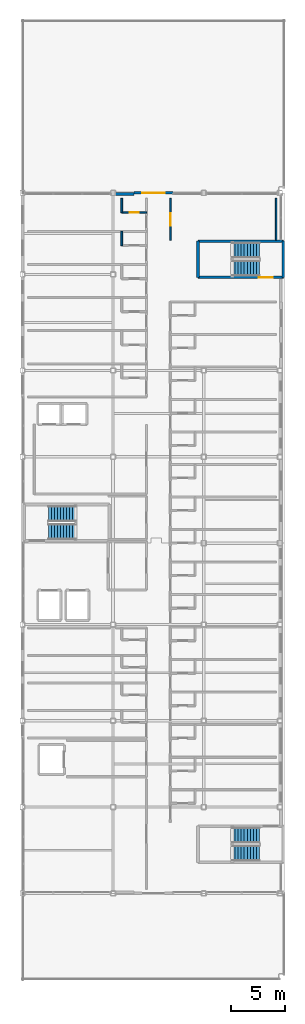
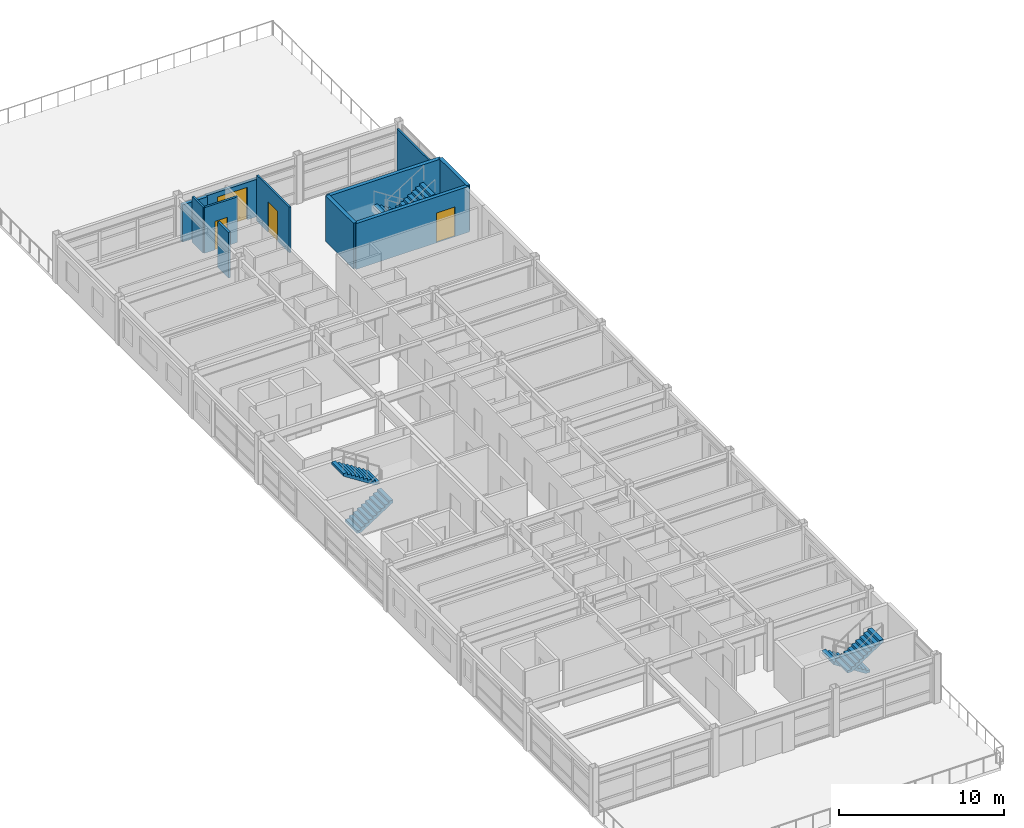
# One storey, part 25 of 28: 11 walls, 6 stair flights, 4 doors, 4 openings, 3 elements without a shape of their own.
"""IFC4 building model written with IfcOpenShell, lengths in metres."""

from ifc_helpers import new_model, si_unit, direction, frame, frame_2d, origin, place, context, subcontext, project, spatial, polyline, rectangle, outline, extrude, material, layer, layer_set, type_object, element, fill, aggregate, save


model = new_model("IFC4")

# Units and contexts
model_context = context("Model", 3, precision=1e-05, world=origin(), true_north=direction((0.0, 1.0)))
body_context = subcontext(model_context, "Body", "Model", "MODEL_VIEW")
ifc_project = project(units=[si_unit("LENGTHUNIT", "METRE"), si_unit("AREAUNIT", "SQUARE_METRE"), si_unit("VOLUMEUNIT", "CUBIC_METRE"), si_unit("PLANEANGLEUNIT", "RADIAN"), si_unit("MASSUNIT", "GRAM", prefix="KILO")], contexts=[model_context])

# Site, building, storey
site_placement = place(None, origin())
site = spatial("IfcSite", under=ifc_project, at=site_placement, CompositionType="ELEMENT")
building_placement = place(site_placement, origin())
building = spatial("IfcBuilding", under=site, at=building_placement, Name="Kazehara Bluff Congress Hotel", CompositionType="ELEMENT")
storey_placement = place(building_placement, frame((0.0, 0.0, 42.60009765625)))
storey = spatial("IfcBuildingStorey", under=building, at=storey_placement, Name="L10", CompositionType="ELEMENT", Elevation=42.60009765625)

# Walls
ifc_material_1 = material(Name="Concrete C40/50", Category="concrete")
ifc_layer_1 = layer(ifc_material_1, 0.25)
ifc_layer_set_1 = layer_set([ifc_layer_1], Name="Concrete C40/50")
wall_type_1 = type_object("IfcWallType", Name="TP-CW-RC", PredefinedType="SHEAR", material=ifc_layer_set_1)
for number, where, z_axis, x_axis, name in (
    (1, (167.875, 76.425048828125, 0.0), (0.0, 0.0, 1.0), (0.0, -1.0, 0.0), "L10 ST-12 core wall near"),
    (2, (159.97509765625, 73.074951171875, 0.0), (0.0, 0.0, 1.0), (0.0, 1.0, 0.0), "L10 ST-12 core wall far"),
):
    element("IfcWall", number, at=place(storey_placement, frame(where, z_axis=z_axis, x_axis=x_axis)), inside=storey, type_object=wall_type_1, Name=name, PredefinedType="SHEAR", context=body_context, shape_type="SweptSolid", body=[
        extrude(rectangle(XDim=3.35009765625, YDim=0.25, at=frame_2d((1.675048828125, 0.0))), origin(), (0.0, 0.0, 1.0), 3.3798828125),
    ])
wall_1_placement = place(storey_placement, frame((159.97509765625, 76.425048828125, 0.0), z_axis=(0.0, 0.0, 1.0), x_axis=(1.0, 0.0, 0.0)))
element("IfcWall", 3, at=wall_1_placement, inside=storey, type_object=wall_type_1, Name="L10 ST-12 core wall left", PredefinedType="SHEAR", context=body_context, shape_type="SweptSolid", body=[
    extrude(rectangle(XDim=7.89990234375, YDim=0.25, at=frame_2d((3.949951171875, 0.0))), origin(), (0.0, 0.0, 1.0), 3.3798828125),
])

# Wall, opening, door
wall_2_placement = place(storey_placement, frame((167.875, 73.074951171875, 0.0), z_axis=(0.0, 0.0, 1.0), x_axis=(-1.0, 0.0, 0.0)))
wall_2 = element("IfcWall", 4, at=wall_2_placement, inside=storey, type_object=wall_type_1, Name="L10 ST-12 core wall right", PredefinedType="SHEAR", context=body_context, shape_type="SweptSolid", body=[
    extrude(rectangle(XDim=7.89990234375, YDim=0.25, at=frame_2d((3.949951171875, 0.0))), origin(), (0.0, 0.0, 1.0), 3.3798828125),
])
opening_1_placement = place(wall_2_placement, frame((0.985107421875, 0.0, 0.0)))
opening_1 = element("IfcOpeningElement", 5, at=opening_1_placement, cuts=wall_2, Name="Opening FD-01", PredefinedType="OPENING", context=body_context, shape_type="SweptSolid", body=[
    extrude(rectangle(XDim=1.300048828125, YDim=2.199951171875, at=frame_2d((0.64990234375, 1.10009765625))), frame((0.0, 0.135009765625, 0.0), z_axis=(0.0, -1.0, 0.0), x_axis=(1.0, 0.0, 0.0)), (0.0, 0.0, 1.0), 0.27001953125),
])
ifc_material_2 = material(Name="Fire-rated painted steel leaf", Category="steel")
door_type_1 = type_object("IfcDoorType", Name="TP-FD-01", OperationType="NOTDEFINED", PredefinedType="DOOR", material=ifc_material_2)
door_1_placement = place(opening_1_placement, origin())
door_1 = element("IfcDoor", 6, at=door_1_placement, inside=storey, type_object=door_type_1, Name="L10 ST-12 fire stair door", OperationType="SINGLE_SWING_RIGHT", OverallHeight=2.199951171875, OverallWidth=1.300048828125, PredefinedType="DOOR", context=body_context, shape_type="SweptSolid", body=[
    extrude(rectangle(XDim=1.300048828125, YDim=2.199951171875, at=frame_2d((0.64990234375, 1.10009765625))), frame((0.0, 0.02490234375, 0.0), z_axis=(0.0, -1.0, 0.0), x_axis=(1.0, 0.0, 0.0)), (0.0, 0.0, 1.0), 0.050048828125),
])
fill(opening_1, door_1)

ifc_material_3 = material(Name="Precast concrete C40/50", Category="concrete")
ifc_layer_2 = layer(ifc_material_3, 0.239990234375)
ifc_layer_set_2 = layer_set([ifc_layer_2], Name="Precast concrete C40/50")
wall_type_2 = type_object("IfcWallType", Name="TP-EW-240", PredefinedType="SOLIDWALL", material=ifc_layer_set_2)
wall_3_placement = place(storey_placement, frame((154.050048828125, 80.89990234375, 0.0), z_axis=(0.0, 0.0, 1.0), x_axis=(1.0, 0.0, 0.0)))
wall_3 = element("IfcWall", 7, at=wall_3_placement, inside=storey, type_object=wall_type_2, Name="Executive North Sky Terrace access wall", PredefinedType="SOLIDWALL", context=body_context, shape_type="SweptSolid", body=[
    extrude(rectangle(XDim=3.599853515625, YDim=0.239990234375, at=frame_2d((1.7998046875, 0.0))), origin(), (0.0, 0.0, 1.0), 2.7548828125),
])
opening_2_placement = place(wall_3_placement, frame((0.75, 0.0, 0.0)))
opening_2 = element("IfcOpeningElement", 8, at=opening_2_placement, cuts=wall_3, Name="Opening TD-03", PredefinedType="OPENING", context=body_context, shape_type="SweptSolid", body=[
    extrude(rectangle(XDim=2.10009765625, YDim=2.39990234375, at=frame_2d((1.050048828125, 1.199951171875))), frame((0.0, 0.1298828125, 0.0), z_axis=(0.0, -1.0, 0.0), x_axis=(1.0, 0.0, 0.0)), (0.0, 0.0, 1.0), 0.260009765625),
])
ifc_material_4 = material(Name="Anodised aluminium", Category="aluminium")
door_type_2 = type_object("IfcDoorType", Name="TP-TD-03", OperationType="SLIDING_TO_LEFT", PredefinedType="DOOR", material=ifc_material_4)
door_2_placement = place(opening_2_placement, origin())
door_2 = element("IfcDoor", 9, at=door_2_placement, inside=storey, type_object=door_type_2, Name="Executive North Sky Terrace terrace door", OperationType="SLIDING_TO_LEFT", OverallHeight=2.39990234375, OverallWidth=2.10009765625, PredefinedType="DOOR", context=body_context, shape_type="SweptSolid", body=[
    extrude(rectangle(XDim=2.10009765625, YDim=2.39990234375, at=frame_2d((1.050048828125, 1.199951171875))), frame((0.0, 0.02490234375, 0.0), z_axis=(0.0, -1.0, 0.0), x_axis=(1.0, 0.0, 0.0)), (0.0, 0.0, 1.0), 0.050048828125),
])
fill(opening_2, door_2)

# Wall
wall_4_placement = place(storey_placement, frame((152.324951171875, 80.800048828125, 0.0), z_axis=(0.0, 0.0, 1.0), x_axis=(1.0, 0.0, 0.0)))
element("IfcWall", 10, at=wall_4_placement, inside=storey, type_object=wall_type_2, Name="L10 V5 perimeter spandrel pier 758", PredefinedType="SOLIDWALL", context=body_context, shape_type="SweptSolid", body=[
    extrude(rectangle(XDim=1.72509765625, YDim=0.239990234375, at=frame_2d((0.862548828125, 0.0))), origin(), (0.0, 0.0, 1.0), 2.7548828125),
])

# Wall, opening, door
ifc_material_5 = material(Name="Fire-rated gypsum board stud partition")
ifc_layer_3 = layer(ifc_material_5, 0.1298828125)
ifc_layer_set_3 = layer_set([ifc_layer_3], Name="Fire-rated gypsum board stud partition")
wall_type_3 = type_object("IfcWallType", Name="TP-PT-130", PredefinedType="PARTITIONING", material=ifc_layer_set_3)
wall_5_placement = place(storey_placement, frame((157.39990234375, 76.5, 0.0), z_axis=(0.0, 0.0, 1.0), x_axis=(0.0, 1.0, 0.0)))
wall_5 = element("IfcWall", 11, at=wall_5_placement, inside=storey, type_object=wall_type_3, Name="L10 partition PT-130 1398", PredefinedType="PARTITIONING", context=body_context, shape_type="SweptSolid", body=[
    extrude(rectangle(XDim=3.89990234375, YDim=0.1298828125, at=frame_2d((1.949951171875, 0.0))), origin(), (0.0, 0.0, 1.0), 3.364990234375),
])
opening_3_placement = place(wall_5_placement, frame((1.375, 0.0, 0.0)))
opening_3 = element("IfcOpeningElement", 12, at=opening_3_placement, cuts=wall_5, Name="Opening ID-04", PredefinedType="OPENING", context=body_context, shape_type="SweptSolid", body=[
    extrude(rectangle(XDim=1.14990234375, YDim=2.219970703125, at=frame_2d((0.574951171875, 1.10986328125))), frame((0.0, 0.074951171875, 0.0), z_axis=(0.0, -1.0, 0.0), x_axis=(1.0, 0.0, 0.0)), (0.0, 0.0, 1.0), 0.14990234375),
])
ifc_material_6 = material(Name="Architectural oak veneer leaf")
door_type_3 = type_object("IfcDoorType", Name="TP-ID-04", OperationType="NOTDEFINED", PredefinedType="DOOR", material=ifc_material_6)
door_3_placement = place(opening_3_placement, origin())
door_3 = element("IfcDoor", 13, at=door_3_placement, inside=storey, type_object=door_type_3, Name="L10 Executive North Terrace Lounge door", OperationType="SINGLE_SWING_RIGHT", OverallHeight=2.219970703125, OverallWidth=1.14990234375, PredefinedType="DOOR", context=body_context, shape_type="SweptSolid", body=[
    extrude(rectangle(XDim=1.14990234375, YDim=2.219970703125, at=frame_2d((0.574951171875, 1.10986328125))), frame((0.0, 0.02490234375, 0.0), z_axis=(0.0, -1.0, 0.0), x_axis=(1.0, 0.0, 0.0)), (0.0, 0.0, 1.0), 0.050048828125),
])
fill(opening_3, door_3)

# Wall
wall_6_placement = place(storey_placement, frame((167.199951171875, 76.5, 0.0), z_axis=(0.0, 0.0, 1.0), x_axis=(0.0, 1.0, 0.0)))
element("IfcWall", 14, at=wall_6_placement, inside=storey, type_object=wall_type_3, Name="L10 partition PT-130 1415", PredefinedType="PARTITIONING", context=body_context, shape_type="SweptSolid", body=[
    extrude(rectangle(XDim=3.89990234375, YDim=0.1298828125, at=frame_2d((1.949951171875, 0.0))), origin(), (0.0, 0.0, 1.0), 3.364990234375),
])

# Wall, opening, door
ifc_material_7 = material(Name="Fire-rated gypsum board stud partition")
ifc_layer_4 = layer(ifc_material_7, 0.14990234375)
ifc_layer_set_4 = layer_set([ifc_layer_4], Name="Fire-rated gypsum board stud partition")
wall_type_4 = type_object("IfcWallType", Name="TP-PT-150", PredefinedType="PARTITIONING", material=ifc_layer_set_4)
wall_7_placement = place(storey_placement, frame((152.89990234375, 79.080078125, 0.0), z_axis=(0.0, 0.0, 1.0), x_axis=(1.0, 0.0, 0.0)))
wall_7 = element("IfcWall", 15, at=wall_7_placement, inside=storey, type_object=wall_type_4, Name="L10 partition PT-150 1377", PredefinedType="PARTITIONING", context=body_context, shape_type="SweptSolid", body=[
    extrude(rectangle(XDim=2.300048828125, YDim=0.14990234375, at=frame_2d((1.14990234375, 0.0))), origin(), (0.0, 0.0, 1.0), 3.364990234375),
])
opening_4_placement = place(wall_7_placement, frame((0.72509765625, 0.0, 0.0)))
opening_4 = element("IfcOpeningElement", 16, at=opening_4_placement, cuts=wall_7, Name="Opening BD-01", PredefinedType="OPENING", context=body_context, shape_type="SweptSolid", body=[
    extrude(rectangle(XDim=0.85009765625, YDim=2.10009765625, at=frame_2d((0.425048828125, 1.050048828125))), frame((0.0, 0.0849609375, 0.0), z_axis=(0.0, -1.0, 0.0), x_axis=(1.0, 0.0, 0.0)), (0.0, 0.0, 1.0), 0.169921875),
])
ifc_material_8 = material(Name="Architectural oak veneer leaf")
door_type_4 = type_object("IfcDoorType", Name="TP-BD-01", OperationType="NOTDEFINED", PredefinedType="DOOR", material=ifc_material_8)
door_4_placement = place(opening_4_placement, origin())
door_4 = element("IfcDoor", 17, at=door_4_placement, inside=storey, type_object=door_type_4, Name="L10 En-suite Bathroom 304 door", OperationType="SINGLE_SWING_RIGHT", OverallHeight=2.10009765625, OverallWidth=0.85009765625, PredefinedType="DOOR", context=body_context, shape_type="SweptSolid", body=[
    extrude(rectangle(XDim=0.85009765625, YDim=2.10009765625, at=frame_2d((0.425048828125, 1.050048828125))), frame((0.0, 0.02490234375, 0.0), z_axis=(0.0, -1.0, 0.0), x_axis=(1.0, 0.0, 0.0)), (0.0, 0.0, 1.0), 0.050048828125),
])
fill(opening_4, door_4)

# Walls
wall_8_placement = place(storey_placement, frame((152.89990234375, 76.014892578125, 0.0), z_axis=(0.0, 0.0, 1.0), x_axis=(0.0, 1.0, 0.0)))
element("IfcWall", 18, at=wall_8_placement, inside=storey, type_object=wall_type_4, Name="L10 partition PT-150 1388", PredefinedType="PARTITIONING", context=body_context, shape_type="SweptSolid", body=[
    extrude(rectangle(XDim=1.320068359375, YDim=0.14990234375, at=frame_2d((0.66015625, 0.0))), origin(), (0.0, 0.0, 1.0), 3.364990234375),
])
wall_9_placement = place(storey_placement, frame((152.89990234375, 79.0849609375, 0.0), z_axis=(0.0, 0.0, 1.0), x_axis=(0.0, 1.0, 0.0)))
element("IfcWall", 19, at=wall_9_placement, inside=storey, type_object=wall_type_4, Name="L10 partition PT-150 1389", PredefinedType="PARTITIONING", context=body_context, shape_type="SweptSolid", body=[
    extrude(rectangle(XDim=1.31494140625, YDim=0.14990234375, at=frame_2d((0.657470703125, 0.0))), origin(), (0.0, 0.0, 1.0), 3.364990234375),
])

# Stair, stair flights
ifc_material_9 = material(Name="Concrete C36/45", Category="concrete")
stair_type = type_object("IfcStairType", Name="TP-ST-T03", PredefinedType="HALF_TURN_STAIR", material=ifc_material_9)
stair_1_placement = place(storey_placement, origin())
stair_1 = element("IfcStair", 20, at=stair_1_placement, inside=storey, type_object=stair_type, Name="L10 Escape stair ST-10", PredefinedType="HALF_TURN_STAIR")
ifc_material_10 = material(Name="Concrete C36/45", Category="concrete")
stair_flight_type = type_object("IfcStairFlightType", Name="TP-SF-T03", PredefinedType="STRAIGHT", material=ifc_material_10)
stair_flight_1_placement = place(storey_placement, frame((165.64990234375, 21.375, 0.0), z_axis=(0.0, 0.0, 1.0), x_axis=(-1.0, 0.0, 0.0)))
stair_flight_1 = element("IfcStairFlight", 21, at=stair_flight_1_placement, type_object=stair_flight_type, Name="ST-10 flight 1", NumberOfRisers=10, NumberOfTreads=9, PredefinedType="STRAIGHT", RiserHeight=0.18, TreadLength=0.28, context=body_context, shape_type="SweptSolid", body=[
    extrude(outline(polyline([(0.0, 0.0), (0.0, 0.179931640625), (0.280029296875, 0.179931640625), (0.280029296875, 0.360107421875), (0.56005859375, 0.360107421875), (0.56005859375, 0.5400390625), (0.840087890625, 0.5400390625), (0.840087890625, 0.719970703125), (1.1201171875, 0.719970703125), (1.1201171875, 0.89990234375), (1.39990234375, 0.89990234375), (1.39990234375, 1.080078125), (1.679931640625, 1.080078125), (1.679931640625, 1.260009765625), (1.9599609375, 1.260009765625), (1.9599609375, 1.43994140625), (2.239990234375, 1.43994140625), (2.239990234375, 1.6201171875), (2.52001953125, 1.6201171875), (2.52001953125, 1.800048828125), (2.52001953125, 1.429931640625), (0.295654296875, 0.0), (0.0, 0.0)])), frame((0.0, 0.72509765625, 0.0), z_axis=(0.0, -1.0, 0.0), x_axis=(1.0, 0.0, 0.0)), (0.0, 0.0, 1.0), 1.449951171875),
])
stair_flight_2_placement = place(storey_placement, frame((163.1298828125, 19.72509765625, 1.7998046875), z_axis=(0.0, 0.0, 1.0), x_axis=(1.0, 0.0, 0.0)))
stair_flight_2 = element("IfcStairFlight", 22, at=stair_flight_2_placement, type_object=stair_flight_type, Name="ST-10 flight 2", NumberOfRisers=10, NumberOfTreads=9, PredefinedType="STRAIGHT", RiserHeight=0.18, TreadLength=0.28, context=body_context, shape_type="SweptSolid", body=[
    extrude(outline(polyline([(0.0, 0.0), (0.0, 0.179931640625), (0.280029296875, 0.179931640625), (0.280029296875, 0.360107421875), (0.56005859375, 0.360107421875), (0.56005859375, 0.5400390625), (0.840087890625, 0.5400390625), (0.840087890625, 0.719970703125), (1.1201171875, 0.719970703125), (1.1201171875, 0.89990234375), (1.39990234375, 0.89990234375), (1.39990234375, 1.080078125), (1.679931640625, 1.080078125), (1.679931640625, 1.260009765625), (1.9599609375, 1.260009765625), (1.9599609375, 1.43994140625), (2.239990234375, 1.43994140625), (2.239990234375, 1.6201171875), (2.52001953125, 1.6201171875), (2.52001953125, 1.800048828125), (2.52001953125, 1.429931640625), (0.295654296875, 0.0), (0.0, 0.0)])), frame((0.0, 0.72509765625, 0.0), z_axis=(0.0, -1.0, 0.0), x_axis=(1.0, 0.0, 0.0)), (0.0, 0.0, 1.0), 1.449951171875),
])
aggregate(stair_1, [stair_flight_1, stair_flight_2])

stair_2_placement = place(storey_placement, origin())
stair_2 = element("IfcStair", 23, at=stair_2_placement, inside=storey, type_object=stair_type, Name="L10 Escape stair ST-11", PredefinedType="HALF_TURN_STAIR")
stair_flight_3_placement = place(storey_placement, frame((146.10009765625, 49.52490234375, 0.0), z_axis=(0.0, 0.0, 1.0), x_axis=(1.0, 0.0, 0.0)))
stair_flight_3 = element("IfcStairFlight", 24, at=stair_flight_3_placement, type_object=stair_flight_type, Name="ST-11 flight 1", NumberOfRisers=10, NumberOfTreads=9, PredefinedType="STRAIGHT", RiserHeight=0.18, TreadLength=0.28, context=body_context, shape_type="SweptSolid", body=[
    extrude(outline(polyline([(0.0, 0.0), (0.0, 0.179931640625), (0.280029296875, 0.179931640625), (0.280029296875, 0.360107421875), (0.56005859375, 0.360107421875), (0.56005859375, 0.5400390625), (0.840087890625, 0.5400390625), (0.840087890625, 0.719970703125), (1.1201171875, 0.719970703125), (1.1201171875, 0.89990234375), (1.39990234375, 0.89990234375), (1.39990234375, 1.080078125), (1.679931640625, 1.080078125), (1.679931640625, 1.260009765625), (1.9599609375, 1.260009765625), (1.9599609375, 1.43994140625), (2.239990234375, 1.43994140625), (2.239990234375, 1.6201171875), (2.52001953125, 1.6201171875), (2.52001953125, 1.800048828125), (2.52001953125, 1.429931640625), (0.295654296875, 0.0), (0.0, 0.0)])), frame((0.0, 0.72509765625, 0.0), z_axis=(0.0, -1.0, 0.0), x_axis=(1.0, 0.0, 0.0)), (0.0, 0.0, 1.0), 1.449951171875),
])
stair_flight_4_placement = place(storey_placement, frame((148.6201171875, 51.175048828125, 1.7998046875), z_axis=(0.0, 0.0, 1.0), x_axis=(-1.0, 0.0, 0.0)))
stair_flight_4 = element("IfcStairFlight", 25, at=stair_flight_4_placement, type_object=stair_flight_type, Name="ST-11 flight 2", NumberOfRisers=10, NumberOfTreads=9, PredefinedType="STRAIGHT", RiserHeight=0.18, TreadLength=0.28, context=body_context, shape_type="SweptSolid", body=[
    extrude(outline(polyline([(0.0, 0.0), (0.0, 0.179931640625), (0.280029296875, 0.179931640625), (0.280029296875, 0.360107421875), (0.56005859375, 0.360107421875), (0.56005859375, 0.5400390625), (0.840087890625, 0.5400390625), (0.840087890625, 0.719970703125), (1.1201171875, 0.719970703125), (1.1201171875, 0.89990234375), (1.39990234375, 0.89990234375), (1.39990234375, 1.080078125), (1.679931640625, 1.080078125), (1.679931640625, 1.260009765625), (1.9599609375, 1.260009765625), (1.9599609375, 1.43994140625), (2.239990234375, 1.43994140625), (2.239990234375, 1.6201171875), (2.52001953125, 1.6201171875), (2.52001953125, 1.800048828125), (2.52001953125, 1.429931640625), (0.295654296875, 0.0), (0.0, 0.0)])), frame((0.0, 0.72509765625, 0.0), z_axis=(0.0, -1.0, 0.0), x_axis=(1.0, 0.0, 0.0)), (0.0, 0.0, 1.0), 1.449951171875),
])
aggregate(stair_2, [stair_flight_3, stair_flight_4])

stair_3_placement = place(storey_placement, origin())
stair_3 = element("IfcStair", 26, at=stair_3_placement, inside=storey, type_object=stair_type, Name="L10 Escape stair ST-12", PredefinedType="HALF_TURN_STAIR")
stair_flight_5_placement = place(storey_placement, frame((165.64990234375, 75.574951171875, 0.0), z_axis=(0.0, 0.0, 1.0), x_axis=(-1.0, 0.0, 0.0)))
stair_flight_5 = element("IfcStairFlight", 27, at=stair_flight_5_placement, type_object=stair_flight_type, Name="ST-12 flight 1", NumberOfRisers=10, NumberOfTreads=9, PredefinedType="STRAIGHT", RiserHeight=0.18, TreadLength=0.28, context=body_context, shape_type="SweptSolid", body=[
    extrude(outline(polyline([(0.0, 0.0), (0.0, 0.179931640625), (0.280029296875, 0.179931640625), (0.280029296875, 0.360107421875), (0.56005859375, 0.360107421875), (0.56005859375, 0.5400390625), (0.840087890625, 0.5400390625), (0.840087890625, 0.719970703125), (1.1201171875, 0.719970703125), (1.1201171875, 0.89990234375), (1.39990234375, 0.89990234375), (1.39990234375, 1.080078125), (1.679931640625, 1.080078125), (1.679931640625, 1.260009765625), (1.9599609375, 1.260009765625), (1.9599609375, 1.43994140625), (2.239990234375, 1.43994140625), (2.239990234375, 1.6201171875), (2.52001953125, 1.6201171875), (2.52001953125, 1.800048828125), (2.52001953125, 1.429931640625), (0.295654296875, 0.0), (0.0, 0.0)])), frame((0.0, 0.72509765625, 0.0), z_axis=(0.0, -1.0, 0.0), x_axis=(1.0, 0.0, 0.0)), (0.0, 0.0, 1.0), 1.449951171875),
])
stair_flight_6_placement = place(storey_placement, frame((163.1298828125, 73.925048828125, 1.7998046875), z_axis=(0.0, 0.0, 1.0), x_axis=(1.0, 0.0, 0.0)))
stair_flight_6 = element("IfcStairFlight", 28, at=stair_flight_6_placement, type_object=stair_flight_type, Name="ST-12 flight 2", NumberOfRisers=10, NumberOfTreads=9, PredefinedType="STRAIGHT", RiserHeight=0.18, TreadLength=0.28, context=body_context, shape_type="SweptSolid", body=[
    extrude(outline(polyline([(0.0, 0.0), (0.0, 0.179931640625), (0.280029296875, 0.179931640625), (0.280029296875, 0.360107421875), (0.56005859375, 0.360107421875), (0.56005859375, 0.5400390625), (0.840087890625, 0.5400390625), (0.840087890625, 0.719970703125), (1.1201171875, 0.719970703125), (1.1201171875, 0.89990234375), (1.39990234375, 0.89990234375), (1.39990234375, 1.080078125), (1.679931640625, 1.080078125), (1.679931640625, 1.260009765625), (1.9599609375, 1.260009765625), (1.9599609375, 1.43994140625), (2.239990234375, 1.43994140625), (2.239990234375, 1.6201171875), (2.52001953125, 1.6201171875), (2.52001953125, 1.800048828125), (2.52001953125, 1.429931640625), (0.295654296875, 0.0), (0.0, 0.0)])), frame((0.0, 0.72509765625, 0.0), z_axis=(0.0, -1.0, 0.0), x_axis=(1.0, 0.0, 0.0)), (0.0, 0.0, 1.0), 1.449951171875),
])
aggregate(stair_3, [stair_flight_5, stair_flight_6])

save(model, "model.ifc")
